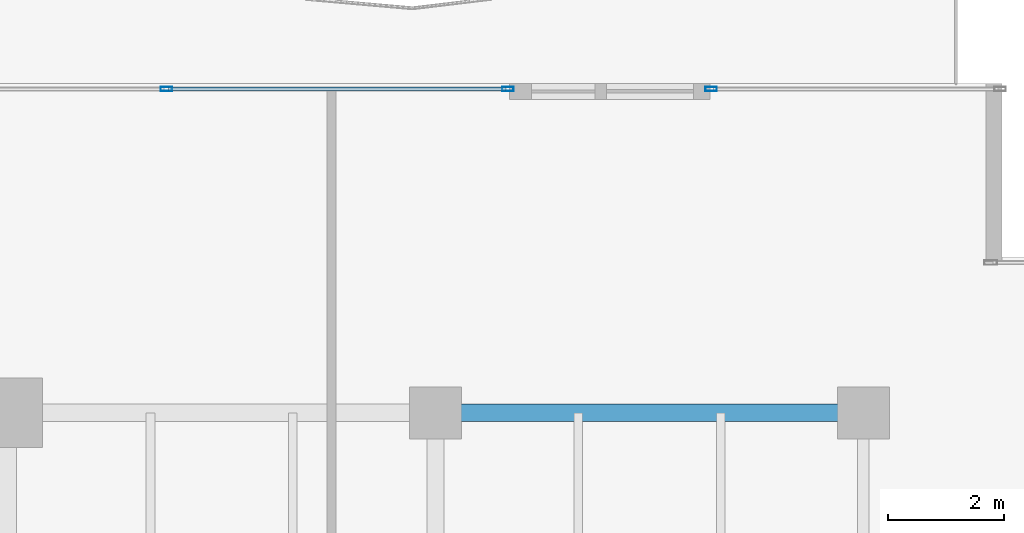
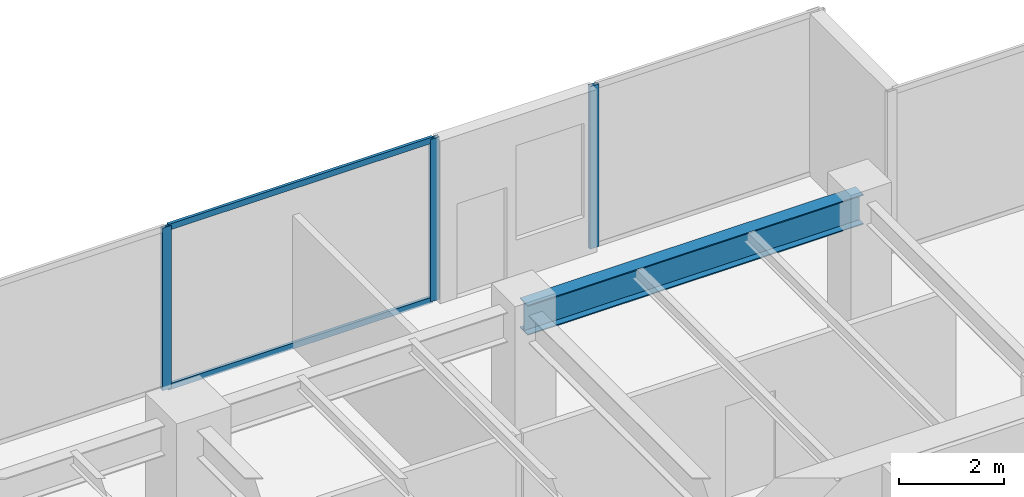
# One storey, part 18 of 30: 5 members, 1 beam, 2 elements without a shape of their own.
"""IFC4 building model written with IfcOpenShell, lengths in metres."""

from ifc_helpers import new_model, si_unit, direction, frame, origin, origin_2d, place, context, subcontext, project, spatial, hollow_rectangle, i_section, extrude, source, transform, mapped, material, layer, layer_set, material_profile, profile_set, type_object, type_shapes, element, aggregate, save


model = new_model("IFC4")

# Units and contexts
model_context = context("Model", 3, precision=1e-05, world=origin(), true_north=direction((0.0, 1.0)))
body_context = subcontext(model_context, "Body", "Model", "MODEL_VIEW")
ifc_project = project(units=[si_unit("LENGTHUNIT", "METRE"), si_unit("AREAUNIT", "SQUARE_METRE"), si_unit("VOLUMEUNIT", "CUBIC_METRE"), si_unit("PLANEANGLEUNIT", "RADIAN"), si_unit("MASSUNIT", "GRAM", prefix="KILO")], contexts=[model_context])

# Site, building, storey
site_placement = place(None, origin())
site = spatial("IfcSite", under=ifc_project, at=site_placement, CompositionType="ELEMENT")
building_placement = place(site_placement, origin())
building = spatial("IfcBuilding", under=site, at=building_placement, Name="Haelvirn Gate Laboratories", CompositionType="ELEMENT")
storey_placement = place(building_placement, frame((0.0, 0.0, 113.300048828125)))
storey = spatial("IfcBuildingStorey", under=building, at=storey_placement, Name="L27", CompositionType="ELEMENT", Elevation=113.300048828125)

# Beam
ifc_material_1 = material(Name="Steel SM355", Category="steel")
ifc_material_profile_1 = material_profile(ifc_material_1, i_section(OverallWidth=0.300048828125, OverallDepth=0.699951171875, WebThickness=0.012939453125, FlangeThickness=0.02392578125, at=origin_2d()), Name="H-700x300x13x24")
ifc_profile_set_1 = profile_set([ifc_material_profile_1], Name="Steel SM355")
beam_type = type_object("IfcBeamType", Name="BM-G-700", PredefinedType="BEAM", material=ifc_profile_set_1)
shared_shape_1 = source(origin(), body_context, "Body", "SweptSolid", [
    extrude(i_section(OverallWidth=0.300048828125, OverallDepth=0.699951171875, WebThickness=0.012939453125, FlangeThickness=0.02392578125, at=origin_2d()), origin(), (0.0, 0.0, 1.0), 7.39990234375),
])
type_shapes(beam_type, [shared_shape_1])
beam_placement = place(storey_placement, frame((60.0, 41.60009765625, 3.43994140625), z_axis=(1.0, 0.0, 0.0), x_axis=(0.0, 1.0, 0.0)))
element("IfcBeam", 1, at=beam_placement, inside=storey, type_object=beam_type, Name="L27 Primary Girder Y41.6 (60.0-67.4)", PredefinedType="BEAM", context=body_context, shape_type="MappedRepresentation", body=[
    mapped(shared_shape_1, transform((0.0, 0.0, 0.0), scale=1.0)),
])

# Curtain wall, members
ifc_material_2 = material(Name="Anodised bronze unitised aluminium & triple low-E glass", Category="aluminium")
ifc_layer = layer(ifc_material_2, 0.179931640625, Name="CW-SYS-3")
ifc_layer_set = layer_set([ifc_layer], Name="Anodised bronze unitised aluminium & triple low-E glass")
curtain_wall_type = type_object("IfcCurtainWallType", Name="CW-SYS-3", PredefinedType="NOTDEFINED", material=ifc_layer_set)
curtain_wall_1_placement = place(storey_placement, origin())
curtain_wall_1 = element("IfcCurtainWall", 2, at=curtain_wall_1_placement, inside=storey, type_object=curtain_wall_type, Name="L27 Unitised Curtain Wall CW-L27-P0-E10-1", PredefinedType="NOTDEFINED")
ifc_material_3 = material(Name="Extruded aluminium 6063-T6 (anodised bronze)", Category="aluminium")
ifc_material_profile_2 = material_profile(ifc_material_3, hollow_rectangle(XDim=0.074951171875, YDim=0.199951171875, WallThickness=0.0048828125, at=origin_2d()), Name="CWM-200x75x5")
ifc_profile_set_2 = profile_set([ifc_material_profile_2], Name="Extruded aluminium 6063-T6 (anodised bronze)")
member_type_1 = type_object("IfcMemberType", Name="CWM-T200", PredefinedType="MULLION", material=ifc_profile_set_2)
shared_shape_2 = source(origin(), body_context, "Body", "SweptSolid", [
    extrude(hollow_rectangle(XDim=0.074951171875, YDim=0.199951171875, WallThickness=0.0048828125, at=origin_2d()), origin(), (0.0, 0.0, 1.0), 3.7900390625),
])
type_shapes(member_type_1, [shared_shape_2])
member_1_placement = place(storey_placement, frame((55.344970703125, 47.199951171875, 0.0), z_axis=(0.0, 0.0, 1.0), x_axis=(0.0, 1.0, 0.0)))
member_1 = element("IfcMember", 3, at=member_1_placement, type_object=member_type_1, Name="CW3 mullion 2", PredefinedType="MULLION", context=body_context, shape_type="MappedRepresentation", body=[
    mapped(shared_shape_2, transform((0.0, 0.0, 0.0), scale=1.0)),
])
member_2_placement = place(storey_placement, frame((61.25244140625, 47.199951171875, 0.0), z_axis=(0.0, 0.0, 1.0), x_axis=(0.0, 1.0, 0.0)))
member_2 = element("IfcMember", 4, at=member_2_placement, type_object=member_type_1, Name="CW3 mullion 3", PredefinedType="MULLION", context=body_context, shape_type="MappedRepresentation", body=[
    mapped(shared_shape_2, transform((0.0, 0.0, 0.0), scale=1.0)),
])

# Curtain wall, member
curtain_wall_2_placement = place(storey_placement, origin())
curtain_wall_2 = element("IfcCurtainWall", 5, at=curtain_wall_2_placement, inside=storey, type_object=curtain_wall_type, Name="L27 Unitised Curtain Wall CW-L27-P0-E10-2", PredefinedType="NOTDEFINED")
member_3_placement = place(storey_placement, frame((64.767578125, 47.199951171875, 0.0), z_axis=(0.0, 0.0, 1.0), x_axis=(0.0, 1.0, 0.0)))
member_3 = element("IfcMember", 6, at=member_3_placement, type_object=member_type_1, Name="CW3 mullion 1", PredefinedType="MULLION", context=body_context, shape_type="MappedRepresentation", body=[
    mapped(shared_shape_2, transform((0.0, 0.0, 0.0), scale=1.0)),
])
aggregate(curtain_wall_2, [member_3])

# Member
ifc_material_profile_3 = material_profile(ifc_material_3, hollow_rectangle(XDim=0.06494140625, YDim=0.139892578125, WallThickness=0.00390625, at=origin_2d()), Name="CWT-140x65x4")
ifc_profile_set_3 = profile_set([ifc_material_profile_3], Name="Extruded aluminium 6063-T6 (anodised bronze)")
member_type_2 = type_object("IfcMemberType", Name="CWT-T140", PredefinedType="USERDEFINED", material=ifc_profile_set_3)
shared_shape_3 = source(origin(), body_context, "Body", "SweptSolid", [
    extrude(hollow_rectangle(XDim=0.06494140625, YDim=0.139892578125, WallThickness=0.00390625, at=origin_2d()), origin(), (0.0, 0.0, 1.0), 5.83251953125),
])
type_shapes(member_type_2, [shared_shape_3])
member_4_placement = place(storey_placement, frame((55.382568359375, 47.199951171875, 0.032470703125), z_axis=(1.0, 0.0, 0.0), x_axis=(0.0, 1.0, 0.0)))
member_4 = element("IfcMember", 7, at=member_4_placement, type_object=member_type_2, Name="CW3 transom 2.1", ObjectType="TRANSOM", PredefinedType="USERDEFINED", context=body_context, shape_type="MappedRepresentation", body=[
    mapped(shared_shape_3, transform((0.0, 0.0, 0.0), scale=1.0)),
])

member_5_placement = place(storey_placement, frame((55.382568359375, 47.199951171875, 3.757568359375), z_axis=(1.0, 0.0, 0.0), x_axis=(0.0, 1.0, 0.0)))
member_5 = element("IfcMember", 8, at=member_5_placement, type_object=member_type_2, Name="CW3 transom 2.2", ObjectType="TRANSOM", PredefinedType="USERDEFINED", context=body_context, shape_type="MappedRepresentation", body=[
    mapped(shared_shape_3, transform((0.0, 0.0, 0.0), scale=1.0)),
])

aggregate(curtain_wall_1, [member_1, member_2, member_4, member_5])

save(model, "model.ifc")
